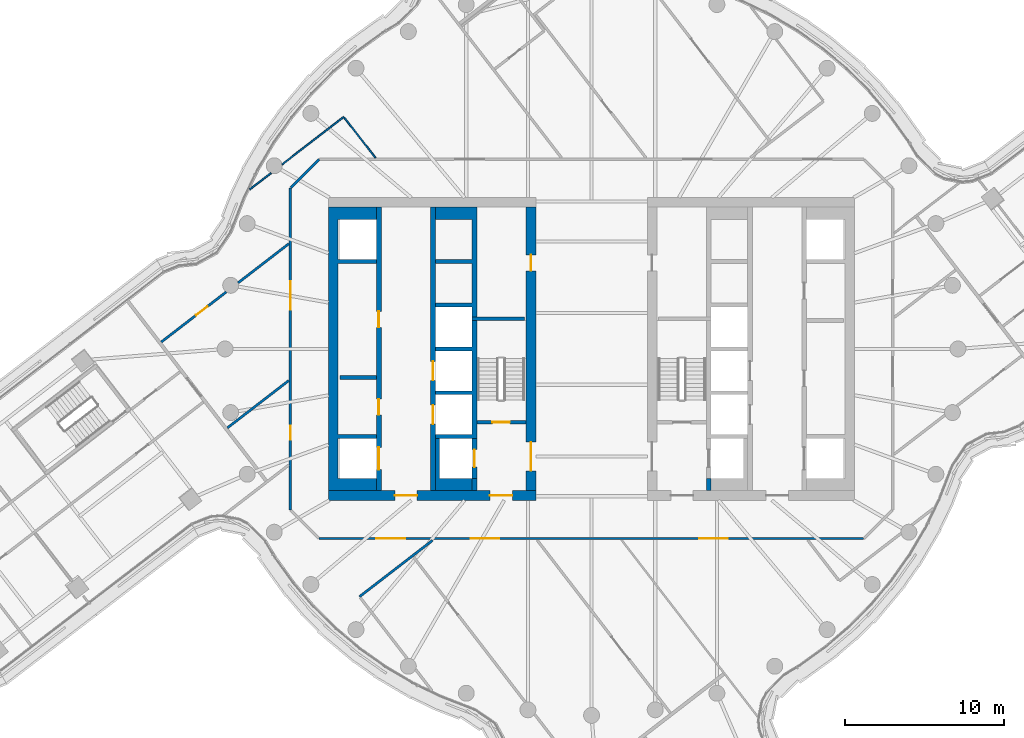
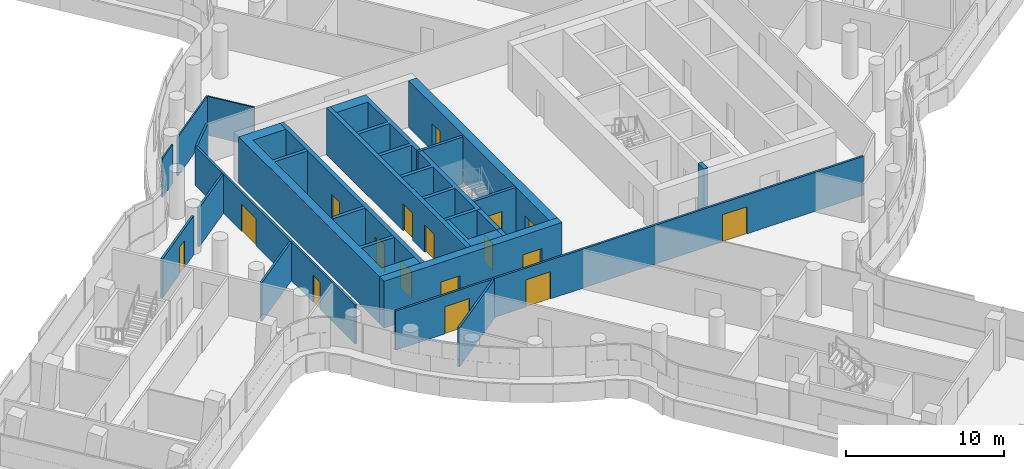
# One storey, part 21 of 33: 23 walls, 17 doors, 17 openings.
"""IFC4 building model written with IfcOpenShell, lengths in metres."""

from ifc_helpers import new_model, si_unit, direction, frame, frame_2d, origin, place, context, subcontext, project, spatial, polyline, rectangle, outline, extrude, material, layer, layer_set, type_object, element, fill, save


model = new_model("IFC4")

# Units and contexts
model_context = context("Model", 3, precision=1e-05, world=origin(), true_north=direction((0.0, 1.0)))
body_context = subcontext(model_context, "Body", "Model", "MODEL_VIEW")
ifc_project = project(units=[si_unit("LENGTHUNIT", "METRE"), si_unit("AREAUNIT", "SQUARE_METRE"), si_unit("VOLUMEUNIT", "CUBIC_METRE"), si_unit("PLANEANGLEUNIT", "RADIAN"), si_unit("MASSUNIT", "GRAM", prefix="KILO")], contexts=[model_context])

# Site, building, storey
site_placement = place(None, origin())
site = spatial("IfcSite", under=ifc_project, at=site_placement, CompositionType="ELEMENT")
building_placement = place(site_placement, origin())
building = spatial("IfcBuilding", under=site, at=building_placement, Name="Tamarind Cross Interchange Tower", CompositionType="ELEMENT")
storey_placement = place(building_placement, frame((0.0, 0.0, 170.5)))
storey = spatial("IfcBuildingStorey", under=building, at=storey_placement, Name="L42", CompositionType="ELEMENT", Elevation=170.5)

# Wall, openings, doors
ifc_material_1 = material(Name="Concrete C60", Category="concrete")
ifc_layer_1 = layer(ifc_material_1, 0.60009765625)
ifc_layer_set_1 = layer_set([ifc_layer_1], Name="Concrete C60")
wall_type_1 = type_object("IfcWallType", Name="Core wall 600 mm Concrete C60", PredefinedType="SHEAR", material=ifc_layer_set_1)
wall_1_placement = place(storey_placement, frame((-16.5, -9.199951171875, 0.0), z_axis=(0.0, 0.0, 1.0), x_axis=(1.0, 0.0, 0.0)))
wall_1 = element("IfcWall", 1, at=wall_1_placement, inside=storey, type_object=wall_type_1, Name="Core wall CWL-L42-W-S", PredefinedType="SHEAR", context=body_context, shape_type="SweptSolid", body=[
    extrude(rectangle(XDim=13.0, YDim=0.60009765625, at=frame_2d((6.5, 0.0))), origin(), (0.0, 0.0, 1.0), 3.610107421875),
])
opening_1_placement = place(wall_1_placement, frame((4.14990234375, 0.0, 0.0)))
opening_1 = element("IfcOpeningElement", 2, at=opening_1_placement, cuts=wall_1, Name="Opening DCW1", PredefinedType="OPENING", context=body_context, shape_type="SweptSolid", body=[
    extrude(rectangle(XDim=1.39990234375, YDim=2.10009765625, at=frame_2d((0.699951171875, 1.050048828125))), frame((0.0, 0.31005859375, 0.0), z_axis=(0.0, -1.0, 0.0), x_axis=(1.0, 0.0, 0.0)), (0.0, 0.0, 1.0), 0.6201171875),
])
opening_2_placement = place(wall_1_placement, frame((10.125, 0.0, 0.0)))
opening_2 = element("IfcOpeningElement", 3, at=opening_2_placement, cuts=wall_1, Name="Opening DCWF", PredefinedType="OPENING", context=body_context, shape_type="SweptSolid", body=[
    extrude(rectangle(XDim=1.39990234375, YDim=2.10009765625, at=frame_2d((0.699951171875, 1.050048828125))), frame((0.0, 0.31005859375, 0.0), z_axis=(0.0, -1.0, 0.0), x_axis=(1.0, 0.0, 0.0)), (0.0, 0.0, 1.0), 0.6201171875),
])
ifc_material_2 = material(Name="Steel, fire-resisting", Category="steel")
door_type_1 = type_object("IfcDoorType", Name="Core fire door 1400 x 2100 FD90", OperationType="SINGLE_SWING_LEFT", PredefinedType="DOOR", material=ifc_material_2)
door_1_placement = place(opening_1_placement, origin())
door_1 = element("IfcDoor", 4, at=door_1_placement, inside=storey, type_object=door_type_1, Name="L42 lift lobby door", OperationType="SINGLE_SWING_LEFT", OverallHeight=2.10009765625, OverallWidth=1.39990234375, PredefinedType="DOOR", context=body_context, shape_type="SweptSolid", body=[
    extrude(rectangle(XDim=1.39990234375, YDim=2.10009765625, at=frame_2d((0.699951171875, 1.050048828125))), frame((0.0, 0.02490234375, 0.0), z_axis=(0.0, -1.0, 0.0), x_axis=(1.0, 0.0, 0.0)), (0.0, 0.0, 1.0), 0.050048828125),
])
fill(opening_1, door_1)
door_2_placement = place(opening_2_placement, origin())
door_2 = element("IfcDoor", 5, at=door_2_placement, inside=storey, type_object=door_type_1, Name="L42 firefighting lobby end door", OperationType="SINGLE_SWING_LEFT", OverallHeight=2.10009765625, OverallWidth=1.39990234375, PredefinedType="DOOR", context=body_context, shape_type="SweptSolid", body=[
    extrude(rectangle(XDim=1.39990234375, YDim=2.10009765625, at=frame_2d((0.699951171875, 1.050048828125))), frame((0.0, 0.02490234375, 0.0), z_axis=(0.0, -1.0, 0.0), x_axis=(1.0, 0.0, 0.0)), (0.0, 0.0, 1.0), 0.050048828125),
])
fill(opening_2, door_2)

# Wall
wall_2_placement = place(storey_placement, origin())
element("IfcWall", 6, at=wall_2_placement, inside=storey, type_object=wall_type_1, Name="Core wall CWL-L42-W-A", PredefinedType="SHEAR", context=body_context, shape_type="SweptSolid", body=[
    extrude(outline(polyline([(-13.5, -8.125), (-15.89990234375, -8.125), (-15.89990234375, -5.625), (-13.5, -5.625), (-13.5, -5.375), (-15.89990234375, -5.375), (-15.89990234375, 5.375), (-13.5, 5.375), (-13.5, 5.625), (-15.89990234375, 5.625), (-15.89990234375, 8.125), (-13.5, 8.125), (-13.5, 8.89990234375), (-15.89990234375, 8.89990234375), (-16.5, 8.89990234375), (-16.5, -8.89990234375), (-15.89990234375, -8.89990234375), (-13.5, -8.89990234375), (-13.5, -8.125)])), origin(), (0.0, 0.0, 1.0), 3.610107421875),
])

# Wall, openings, doors
wall_3_placement = place(storey_placement, frame((-3.800048828125, -8.89990234375, 0.0), z_axis=(0.0, 0.0, 1.0), x_axis=(0.0, 1.0, 0.0)))
wall_3 = element("IfcWall", 7, at=wall_3_placement, inside=storey, type_object=wall_type_1, Name="Core wall CWL-L42-W-IN", PredefinedType="SHEAR", context=body_context, shape_type="SweptSolid", body=[
    extrude(rectangle(XDim=17.7998046875, YDim=0.60009765625, at=frame_2d((8.89990234375, 0.0))), origin(), (0.0, 0.0, 1.0), 3.610107421875),
])
opening_3_placement = place(wall_3_placement, frame((1.25, 0.0, 0.0)))
opening_3 = element("IfcOpeningElement", 8, at=opening_3_placement, cuts=wall_3, Name="Opening DCW4", PredefinedType="OPENING", context=body_context, shape_type="SweptSolid", body=[
    extrude(rectangle(XDim=1.800048828125, YDim=2.10009765625, at=frame_2d((0.89990234375, 1.050048828125))), frame((0.0, 0.31005859375, 0.0), z_axis=(0.0, -1.0, 0.0), x_axis=(1.0, 0.0, 0.0)), (0.0, 0.0, 1.0), 0.6201171875),
])
opening_4_placement = place(wall_3_placement, frame((13.800048828125, 0.0, 0.0)))
opening_4 = element("IfcOpeningElement", 9, at=opening_4_placement, cuts=wall_3, Name="Opening DCW5", PredefinedType="OPENING", context=body_context, shape_type="SweptSolid", body=[
    extrude(rectangle(XDim=1.0, YDim=2.10009765625, at=frame_2d((0.5, 1.050048828125))), frame((0.0, 0.31005859375, 0.0), z_axis=(0.0, -1.0, 0.0), x_axis=(1.0, 0.0, 0.0)), (0.0, 0.0, 1.0), 0.6201171875),
])
door_type_2 = type_object("IfcDoorType", Name="Core fire door 1000 x 2100 FD90", OperationType="SINGLE_SWING_LEFT", PredefinedType="DOOR", material=ifc_material_2)
door_3_placement = place(opening_4_placement, origin())
door_3 = element("IfcDoor", 10, at=door_3_placement, inside=storey, type_object=door_type_2, Name="L42 riser room door", OperationType="SINGLE_SWING_LEFT", OverallHeight=2.10009765625, OverallWidth=1.0, PredefinedType="DOOR", context=body_context, shape_type="SweptSolid", body=[
    extrude(rectangle(XDim=1.0, YDim=2.10009765625, at=frame_2d((0.5, 1.050048828125))), frame((0.0, 0.02490234375, 0.0), z_axis=(0.0, -1.0, 0.0), x_axis=(1.0, 0.0, 0.0)), (0.0, 0.0, 1.0), 0.050048828125),
])
fill(opening_4, door_3)
door_type_3 = type_object("IfcDoorType", Name="Core fire door 1800 x 2100 FD90", OperationType="SINGLE_SWING_LEFT", PredefinedType="DOOR", material=ifc_material_2)
door_4_placement = place(opening_3_placement, origin())
door_4 = element("IfcDoor", 11, at=door_4_placement, inside=storey, type_object=door_type_3, Name="L42 firefighting lobby door", OperationType="SINGLE_SWING_LEFT", OverallHeight=2.10009765625, OverallWidth=1.800048828125, PredefinedType="DOOR", context=body_context, shape_type="SweptSolid", body=[
    extrude(rectangle(XDim=1.800048828125, YDim=2.10009765625, at=frame_2d((0.89990234375, 1.050048828125))), frame((0.0, 0.02490234375, 0.0), z_axis=(0.0, -1.0, 0.0), x_axis=(1.0, 0.0, 0.0)), (0.0, 0.0, 1.0), 0.050048828125),
])
fill(opening_3, door_4)

# Walls
ifc_layer_2 = layer(ifc_material_1, 0.199951171875)
ifc_layer_set_2 = layer_set([ifc_layer_2], Name="Concrete C60")
wall_type_2 = type_object("IfcWallType", Name="Core web wall 200 mm Concrete C60", PredefinedType="SHEAR", material=ifc_layer_set_2)
wall_4_placement = place(storey_placement, frame((-7.5, 1.89990234375, 0.0), z_axis=(0.0, 0.0, 1.0), x_axis=(1.0, 0.0, 0.0)))
element("IfcWall", 12, at=wall_4_placement, inside=storey, type_object=wall_type_2, Name="Core wall CWL-L42-W-BD", PredefinedType="SHEAR", context=body_context, shape_type="SweptSolid", body=[
    extrude(rectangle(XDim=3.300048828125, YDim=0.199951171875, at=frame_2d((1.64990234375, 0.0))), origin(), (0.0, 0.0, 1.0), 3.610107421875),
])
ifc_layer_3 = layer(ifc_material_1, 0.300048828125)
ifc_layer_set_3 = layer_set([ifc_layer_3], Name="Concrete C60")
wall_type_3 = type_object("IfcWallType", Name="Core web wall 300 mm Concrete C60", PredefinedType="SHEAR", material=ifc_layer_set_3)
wall_5_placement = place(storey_placement, origin())
element("IfcWall", 13, at=wall_5_placement, inside=storey, type_object=wall_type_3, Name="Core wall CWL-L42-W-BN", PredefinedType="SHEAR", context=body_context, shape_type="SweptSolid", body=[
    extrude(outline(polyline([(-9.800048828125, -5.375), (-9.800048828125, -5.625), (-7.5, -5.625), (-7.199951171875, -5.625), (-7.199951171875, 8.89990234375), (-7.5, 8.89990234375), (-9.800048828125, 8.89990234375), (-9.800048828125, 8.125), (-7.5, 8.125), (-7.5, 5.625), (-9.800048828125, 5.625), (-9.800048828125, 5.375), (-7.5, 5.375), (-7.5, 2.875), (-9.800048828125, 2.875), (-9.800048828125, 2.625), (-7.5, 2.625), (-7.5, 0.125), (-9.800048828125, 0.125), (-9.800048828125, -0.125), (-7.5, -0.125), (-7.5, -2.625), (-9.800048828125, -2.625), (-9.800048828125, -2.875), (-7.5, -2.875), (-7.5, -5.375), (-9.800048828125, -5.375)])), origin(), (0.0, 0.0, 1.0), 3.610107421875),
])
wall_6_placement = place(storey_placement, origin())
element("IfcWall", 14, at=wall_6_placement, inside=storey, type_object=wall_type_3, Name="Core wall CWL-L42-W-BS", PredefinedType="SHEAR", context=body_context, shape_type="SweptSolid", body=[
    extrude(outline(polyline([(-7.5, -8.125), (-9.550048828125, -8.125), (-9.550048828125, -5.625), (-9.800048828125, -5.625), (-9.800048828125, -8.125), (-9.800048828125, -8.89990234375), (-7.5, -8.89990234375), (-7.5, -8.125)])), origin(), (0.0, 0.0, 1.0), 3.610107421875),
])
wall_7_placement = place(storey_placement, frame((-7.35009765625, -8.89990234375, 0.0), z_axis=(0.0, 0.0, 1.0), x_axis=(0.0, 1.0, 0.0)))
element("IfcWall", 15, at=wall_7_placement, inside=storey, type_object=wall_type_3, Name="Core wall CWL-L42-W-BW", PredefinedType="SHEAR", context=body_context, shape_type="SweptSolid", body=[
    extrude(rectangle(XDim=0.77490234375, YDim=0.300048828125, at=frame_2d((0.387451171875, 0.0))), origin(), (0.0, 0.0, 1.0), 3.610107421875),
])

# Wall, openings, doors
wall_8_placement = place(storey_placement, frame((-13.35009765625, -8.89990234375, 0.0), z_axis=(0.0, 0.0, 1.0), x_axis=(0.0, 1.0, 0.0)))
wall_8 = element("IfcWall", 16, at=wall_8_placement, inside=storey, type_object=wall_type_3, Name="Core wall CWL-L42-W-LA", PredefinedType="SHEAR", context=body_context, shape_type="SweptSolid", body=[
    extrude(rectangle(XDim=17.7998046875, YDim=0.300048828125, at=frame_2d((8.89990234375, 0.0))), origin(), (0.0, 0.0, 1.0), 3.610107421875),
])
opening_5_placement = place(wall_8_placement, frame((1.324951171875, 0.0, 0.0)))
opening_5 = element("IfcOpeningElement", 17, at=opening_5_placement, cuts=wall_8, Name="Opening LD1L42", PredefinedType="OPENING", context=body_context, shape_type="SweptSolid", body=[
    extrude(rectangle(XDim=1.39990234375, YDim=2.10009765625, at=frame_2d((0.699951171875, 1.050048828125))), frame((0.0, 0.159912109375, 0.0), z_axis=(0.0, -1.0, 0.0), x_axis=(1.0, 0.0, 0.0)), (0.0, 0.0, 1.0), 0.320068359375),
])
opening_6_placement = place(wall_8_placement, frame((4.75390625, 0.0, 0.0)))
opening_6 = element("IfcOpeningElement", 18, at=opening_6_placement, cuts=wall_8, Name="Opening DCW9", PredefinedType="OPENING", context=body_context, shape_type="SweptSolid", body=[
    extrude(rectangle(XDim=1.0, YDim=2.10009765625, at=frame_2d((0.5, 1.050048828125))), frame((0.0, 0.159912109375, 0.0), z_axis=(0.0, -1.0, 0.0), x_axis=(1.0, 0.0, 0.0)), (0.0, 0.0, 1.0), 0.320068359375),
])
opening_7_placement = place(wall_8_placement, frame((10.25390625, 0.0, 0.0)))
opening_7 = element("IfcOpeningElement", 19, at=opening_7_placement, cuts=wall_8, Name="Opening DCW10", PredefinedType="OPENING", context=body_context, shape_type="SweptSolid", body=[
    extrude(rectangle(XDim=1.0, YDim=2.10009765625, at=frame_2d((0.5, 1.050048828125))), frame((0.0, 0.159912109375, 0.0), z_axis=(0.0, -1.0, 0.0), x_axis=(1.0, 0.0, 0.0)), (0.0, 0.0, 1.0), 0.320068359375),
])
door_5_placement = place(opening_6_placement, origin())
door_5 = element("IfcDoor", 20, at=door_5_placement, inside=storey, type_object=door_type_2, Name="L42 Cleaner's store door", OperationType="SINGLE_SWING_LEFT", OverallHeight=2.10009765625, OverallWidth=1.0, PredefinedType="DOOR", context=body_context, shape_type="SweptSolid", body=[
    extrude(rectangle(XDim=1.0, YDim=2.10009765625, at=frame_2d((0.5, 1.050048828125))), frame((0.0, 0.02490234375, 0.0), z_axis=(0.0, -1.0, 0.0), x_axis=(1.0, 0.0, 0.0)), (0.0, 0.0, 1.0), 0.050048828125),
])
fill(opening_6, door_5)
door_6_placement = place(opening_7_placement, origin())
door_6 = element("IfcDoor", 21, at=door_6_placement, inside=storey, type_object=door_type_2, Name="L42 Print room door", OperationType="SINGLE_SWING_LEFT", OverallHeight=2.10009765625, OverallWidth=1.0, PredefinedType="DOOR", context=body_context, shape_type="SweptSolid", body=[
    extrude(rectangle(XDim=1.0, YDim=2.10009765625, at=frame_2d((0.5, 1.050048828125))), frame((0.0, 0.02490234375, 0.0), z_axis=(0.0, -1.0, 0.0), x_axis=(1.0, 0.0, 0.0)), (0.0, 0.0, 1.0), 0.050048828125),
])
fill(opening_7, door_6)
ifc_material_3 = material(Name="Stainless steel panel", Category="steel")
door_type_4 = type_object("IfcDoorType", Name="Lift landing door 1400 x 2100 E 120", OperationType="SLIDING_TO_LEFT", PredefinedType="DOOR", material=ifc_material_3)
door_7_placement = place(opening_5_placement, origin())
door_7 = element("IfcDoor", 22, at=door_7_placement, inside=storey, type_object=door_type_4, Name="L42 landing door LF1", OperationType="SLIDING_TO_LEFT", OverallHeight=2.10009765625, OverallWidth=1.39990234375, PredefinedType="DOOR", context=body_context, shape_type="SweptSolid", body=[
    extrude(rectangle(XDim=1.39990234375, YDim=2.10009765625, at=frame_2d((0.699951171875, 1.050048828125))), frame((0.0, 0.02490234375, 0.0), z_axis=(0.0, -1.0, 0.0), x_axis=(1.0, 0.0, 0.0)), (0.0, 0.0, 1.0), 0.050048828125),
])
fill(opening_5, door_7)

wall_9_placement = place(storey_placement, frame((-9.949951171875, -8.89990234375, 0.0), z_axis=(0.0, 0.0, 1.0), x_axis=(0.0, 1.0, 0.0)))
wall_9 = element("IfcWall", 23, at=wall_9_placement, inside=storey, type_object=wall_type_3, Name="Core wall CWL-L42-W-LB", PredefinedType="SHEAR", context=body_context, shape_type="SweptSolid", body=[
    extrude(rectangle(XDim=17.7998046875, YDim=0.300048828125, at=frame_2d((8.89990234375, 0.0))), origin(), (0.0, 0.0, 1.0), 3.610107421875),
])
opening_8_placement = place(wall_9_placement, frame((4.175048828125, 0.0, 0.0)))
opening_8 = element("IfcOpeningElement", 24, at=opening_8_placement, cuts=wall_9, Name="Opening LD8L42", PredefinedType="OPENING", context=body_context, shape_type="SweptSolid", body=[
    extrude(rectangle(XDim=1.199951171875, YDim=2.10009765625, at=frame_2d((0.60009765625, 1.050048828125))), frame((0.0, 0.159912109375, 0.0), z_axis=(0.0, -1.0, 0.0), x_axis=(1.0, 0.0, 0.0)), (0.0, 0.0, 1.0), 0.320068359375),
])
opening_9_placement = place(wall_9_placement, frame((6.925048828125, 0.0, 0.0)))
opening_9 = element("IfcOpeningElement", 25, at=opening_9_placement, cuts=wall_9, Name="Opening LD9L42", PredefinedType="OPENING", context=body_context, shape_type="SweptSolid", body=[
    extrude(rectangle(XDim=1.199951171875, YDim=2.10009765625, at=frame_2d((0.60009765625, 1.050048828125))), frame((0.0, 0.159912109375, 0.0), z_axis=(0.0, -1.0, 0.0), x_axis=(1.0, 0.0, 0.0)), (0.0, 0.0, 1.0), 0.320068359375),
])
door_type_5 = type_object("IfcDoorType", Name="Lift landing door 1200 x 2100 E 120", OperationType="SLIDING_TO_LEFT", PredefinedType="DOOR", material=ifc_material_3)
door_8_placement = place(opening_8_placement, origin())
door_8 = element("IfcDoor", 26, at=door_8_placement, inside=storey, type_object=door_type_5, Name="L42 landing door LF8", OperationType="SLIDING_TO_LEFT", OverallHeight=2.10009765625, OverallWidth=1.199951171875, PredefinedType="DOOR", context=body_context, shape_type="SweptSolid", body=[
    extrude(rectangle(XDim=1.199951171875, YDim=2.10009765625, at=frame_2d((0.60009765625, 1.050048828125))), frame((0.0, 0.02490234375, 0.0), z_axis=(0.0, -1.0, 0.0), x_axis=(1.0, 0.0, 0.0)), (0.0, 0.0, 1.0), 0.050048828125),
])
fill(opening_8, door_8)
door_9_placement = place(opening_9_placement, origin())
door_9 = element("IfcDoor", 27, at=door_9_placement, inside=storey, type_object=door_type_5, Name="L42 landing door LF9", OperationType="SLIDING_TO_LEFT", OverallHeight=2.10009765625, OverallWidth=1.199951171875, PredefinedType="DOOR", context=body_context, shape_type="SweptSolid", body=[
    extrude(rectangle(XDim=1.199951171875, YDim=2.10009765625, at=frame_2d((0.60009765625, 1.050048828125))), frame((0.0, 0.02490234375, 0.0), z_axis=(0.0, -1.0, 0.0), x_axis=(1.0, 0.0, 0.0)), (0.0, 0.0, 1.0), 0.050048828125),
])
fill(opening_9, door_9)

# Wall, opening, door
wall_10_placement = place(storey_placement, frame((-7.35009765625, -8.125, 0.0), z_axis=(0.0, 0.0, 1.0), x_axis=(0.0, 1.0, 0.0)))
wall_10 = element("IfcWall", 28, at=wall_10_placement, inside=storey, type_object=wall_type_3, Name="Core wall CWL-L42-W-FF", PredefinedType="SHEAR", context=body_context, shape_type="SweptSolid", body=[
    extrude(rectangle(XDim=2.5, YDim=0.300048828125, at=frame_2d((1.25, 0.0))), origin(), (0.0, 0.0, 1.0), 3.610107421875),
])
opening_10_placement = place(wall_10_placement, frame((0.699951171875, 0.0, 0.0)))
opening_10 = element("IfcOpeningElement", 29, at=opening_10_placement, cuts=wall_10, Name="Opening LD7L42", PredefinedType="OPENING", context=body_context, shape_type="SweptSolid", body=[
    extrude(rectangle(XDim=1.10009765625, YDim=2.10009765625, at=frame_2d((0.550048828125, 1.050048828125))), frame((0.0, 0.159912109375, 0.0), z_axis=(0.0, -1.0, 0.0), x_axis=(1.0, 0.0, 0.0)), (0.0, 0.0, 1.0), 0.320068359375),
])
door_type_6 = type_object("IfcDoorType", Name="Lift landing door 1100 x 2100 E 120", OperationType="SLIDING_TO_LEFT", PredefinedType="DOOR", material=ifc_material_3)
door_10_placement = place(opening_10_placement, origin())
door_10 = element("IfcDoor", 30, at=door_10_placement, inside=storey, type_object=door_type_6, Name="L42 landing door LF7", OperationType="SLIDING_TO_LEFT", OverallHeight=2.10009765625, OverallWidth=1.10009765625, PredefinedType="DOOR", context=body_context, shape_type="SweptSolid", body=[
    extrude(rectangle(XDim=1.10009765625, YDim=2.10009765625, at=frame_2d((0.550048828125, 1.050048828125))), frame((0.0, 0.02490234375, 0.0), z_axis=(0.0, -1.0, 0.0), x_axis=(1.0, 0.0, 0.0)), (0.0, 0.0, 1.0), 0.050048828125),
])
fill(opening_10, door_10)

# Walls
wall_11_placement = place(storey_placement, frame((7.35009765625, -8.89990234375, 0.0), z_axis=(0.0, 0.0, 1.0), x_axis=(0.0, 1.0, 0.0)))
element("IfcWall", 31, at=wall_11_placement, inside=storey, type_object=wall_type_3, Name="Core wall CWL-L42-E-BW", PredefinedType="SHEAR", context=body_context, shape_type="SweptSolid", body=[
    extrude(rectangle(XDim=0.77490234375, YDim=0.300048828125, at=frame_2d((0.387451171875, 0.0))), origin(), (0.0, 0.0, 1.0), 3.610107421875),
])
ifc_material_4 = material(Name="Gypsum board partition on steel studs", Category="steel")
ifc_layer_4 = layer(ifc_material_4, 0.10009765625)
ifc_layer_set_4 = layer_set([ifc_layer_4], Name="Gypsum board partition on steel studs")
wall_type_4 = type_object("IfcWallType", Name="Partition 100 mm EI 90", PredefinedType="PARTITIONING", material=ifc_layer_set_4)
wall_12_placement = place(storey_placement, frame((-15.517578125, 14.525390625, 0.0), z_axis=(0.0, 0.0, 1.0), x_axis=(0.610299736782, -0.792170582188, 0.0)))
element("IfcWall", 32, at=wall_12_placement, inside=storey, type_object=wall_type_4, Name="Partition L42-007", PredefinedType="PARTITIONING", context=body_context, shape_type="SweptSolid", body=[
    extrude(rectangle(XDim=3.204345703125, YDim=0.10009765625, at=frame_2d((1.60205078125, 0.0))), origin(), (0.0, 0.0, 1.0), 3.010009765625),
])
wall_13_placement = place(storey_placement, frame((-21.455810546875, 10.01318359375, 0.0), z_axis=(0.0, 0.0, 1.0), x_axis=(0.792123801297, 0.610360453682, 0.0)))
element("IfcWall", 33, at=wall_13_placement, inside=storey, type_object=wall_type_4, Name="Partition L42-047", PredefinedType="PARTITIONING", context=body_context, shape_type="SweptSolid", body=[
    extrude(rectangle(XDim=1.6884765625, YDim=0.10009765625, at=frame_2d((0.84423828125, 0.0))), origin(), (0.0, 0.0, 1.0), 3.010009765625),
])
wall_14_placement = place(storey_placement, frame((-19.4287109375, 11.574951171875, 0.0), z_axis=(0.0, 0.0, 1.0), x_axis=(0.792140202804, 0.610339167269, 0.0)))
element("IfcWall", 34, at=wall_14_placement, inside=storey, type_object=wall_type_4, Name="Partition L42-048", PredefinedType="PARTITIONING", context=body_context, shape_type="SweptSolid", body=[
    extrude(rectangle(XDim=4.89892578125, YDim=0.10009765625, at=frame_2d((2.449462890625, 0.0))), origin(), (0.0, 0.0, 1.0), 3.010009765625),
])

# Wall, openings, doors
ifc_layer_5 = layer(ifc_material_4, 0.14990234375)
ifc_layer_set_5 = layer_set([ifc_layer_5], Name="Gypsum board partition on steel studs")
wall_type_5 = type_object("IfcWallType", Name="Partition 150 mm EI 120", PredefinedType="PARTITIONING", material=ifc_layer_set_5)
wall_15_placement = place(storey_placement, frame((-17.10009765625, -11.89990234375, 0.0), z_axis=(0.0, 0.0, 1.0), x_axis=(1.0, 0.0, 0.0)))
wall_15 = element("IfcWall", 35, at=wall_15_placement, inside=storey, type_object=wall_type_5, Name="Partition L42-038", PredefinedType="PARTITIONING", context=body_context, shape_type="SweptSolid", body=[
    extrude(rectangle(XDim=34.1650390625, YDim=0.14990234375, at=frame_2d((17.08251953125, 0.0))), origin(), (0.0, 0.0, 1.0), 3.010009765625),
])
opening_11_placement = place(wall_15_placement, frame((9.52001953125, 0.0, 0.0)))
opening_11 = element("IfcOpeningElement", 36, at=opening_11_placement, cuts=wall_15, Name="Opening D18", PredefinedType="OPENING", context=body_context, shape_type="SweptSolid", body=[
    extrude(rectangle(XDim=1.800048828125, YDim=2.10009765625, at=frame_2d((0.89990234375, 1.050048828125))), frame((0.0, 0.0849609375, 0.0), z_axis=(0.0, -1.0, 0.0), x_axis=(1.0, 0.0, 0.0)), (0.0, 0.0, 1.0), 0.169921875),
])
opening_12_placement = place(wall_15_placement, frame((3.60009765625, 0.0, 0.0)))
opening_12 = element("IfcOpeningElement", 37, at=opening_12_placement, cuts=wall_15, Name="Opening D19", PredefinedType="OPENING", context=body_context, shape_type="SweptSolid", body=[
    extrude(rectangle(XDim=1.800048828125, YDim=2.10009765625, at=frame_2d((0.89990234375, 1.050048828125))), frame((0.0, 0.0849609375, 0.0), z_axis=(0.0, -1.0, 0.0), x_axis=(1.0, 0.0, 0.0)), (0.0, 0.0, 1.0), 0.169921875),
])
opening_13_placement = place(wall_15_placement, frame((23.862060546875, 0.0, 0.0)))
opening_13 = element("IfcOpeningElement", 38, at=opening_13_placement, cuts=wall_15, Name="Opening D20", PredefinedType="OPENING", context=body_context, shape_type="SweptSolid", body=[
    extrude(rectangle(XDim=1.800048828125, YDim=2.10009765625, at=frame_2d((0.89990234375, 1.050048828125))), frame((0.0, 0.0849609375, 0.0), z_axis=(0.0, -1.0, 0.0), x_axis=(1.0, 0.0, 0.0)), (0.0, 0.0, 1.0), 0.169921875),
])
ifc_material_5 = material(Name="Fire-resisting door set")
door_type_7 = type_object("IfcDoorType", Name="Interior door 1800 x 2100 FD60S", OperationType="DOUBLE_DOOR_SINGLE_SWING", PredefinedType="DOOR", material=ifc_material_5)
door_11_placement = place(opening_11_placement, origin())
door_11 = element("IfcDoor", 39, at=door_11_placement, inside=storey, type_object=door_type_7, Name="Door D18", OperationType="DOUBLE_DOOR_SINGLE_SWING", OverallHeight=2.10009765625, OverallWidth=1.800048828125, PredefinedType="DOOR", context=body_context, shape_type="SweptSolid", body=[
    extrude(rectangle(XDim=1.800048828125, YDim=2.10009765625, at=frame_2d((0.89990234375, 1.050048828125))), frame((0.0, 0.02490234375, 0.0), z_axis=(0.0, -1.0, 0.0), x_axis=(1.0, 0.0, 0.0)), (0.0, 0.0, 1.0), 0.050048828125),
])
fill(opening_11, door_11)
door_12_placement = place(opening_12_placement, frame((1.800048828125, 0.0, 0.0), z_axis=(0.0, 0.0, 1.0), x_axis=(-1.0, 0.0, 0.0)))
door_12 = element("IfcDoor", 40, at=door_12_placement, inside=storey, type_object=door_type_7, Name="Door D19", OperationType="DOUBLE_DOOR_SINGLE_SWING", OverallHeight=2.10009765625, OverallWidth=1.800048828125, PredefinedType="DOOR", context=body_context, shape_type="SweptSolid", body=[
    extrude(rectangle(XDim=1.800048828125, YDim=2.10009765625, at=frame_2d((0.89990234375, 1.050048828125))), frame((0.0, 0.02490234375, 0.0), z_axis=(0.0, -1.0, 0.0), x_axis=(1.0, 0.0, 0.0)), (0.0, 0.0, 1.0), 0.050048828125),
])
fill(opening_12, door_12)
door_13_placement = place(opening_13_placement, frame((1.800048828125, 0.0, 0.0), z_axis=(0.0, 0.0, 1.0), x_axis=(-1.0, 0.0, 0.0)))
door_13 = element("IfcDoor", 41, at=door_13_placement, inside=storey, type_object=door_type_7, Name="Door D20", OperationType="DOUBLE_DOOR_SINGLE_SWING", OverallHeight=2.10009765625, OverallWidth=1.800048828125, PredefinedType="DOOR", context=body_context, shape_type="SweptSolid", body=[
    extrude(rectangle(XDim=1.800048828125, YDim=2.10009765625, at=frame_2d((0.89990234375, 1.050048828125))), frame((0.0, 0.02490234375, 0.0), z_axis=(0.0, -1.0, 0.0), x_axis=(1.0, 0.0, 0.0)), (0.0, 0.0, 1.0), 0.050048828125),
])
fill(opening_13, door_13)

# Wall, opening, door
wall_16_placement = place(storey_placement, frame((-27.005859375, 0.43505859375, 0.0), z_axis=(0.0, 0.0, 1.0), x_axis=(0.792115799785, 0.610370837877, 0.0)))
wall_16 = element("IfcWall", 42, at=wall_16_placement, inside=storey, type_object=wall_type_5, Name="Partition L42-043", PredefinedType="PARTITIONING", context=body_context, shape_type="SweptSolid", body=[
    extrude(rectangle(XDim=5.146240234375, YDim=0.14990234375, at=frame_2d((2.5732421875, 0.0))), origin(), (0.0, 0.0, 1.0), 3.010009765625),
])
opening_14_placement = place(wall_16_placement, frame((2.75, 0.0, 0.0)))
opening_14 = element("IfcOpeningElement", 43, at=opening_14_placement, cuts=wall_16, Name="Opening D28", PredefinedType="OPENING", context=body_context, shape_type="SweptSolid", body=[
    extrude(rectangle(XDim=0.89990234375, YDim=2.10009765625, at=frame_2d((0.449951171875, 1.050048828125))), frame((0.0, 0.0849609375, 0.0), z_axis=(0.0, -1.0, 0.0), x_axis=(1.0, 0.0, 0.0)), (0.0, 0.0, 1.0), 0.169921875),
])
door_type_8 = type_object("IfcDoorType", Name="Interior door 900 x 2100 FD60S", OperationType="SINGLE_SWING_LEFT", PredefinedType="DOOR", material=ifc_material_5)
door_14_placement = place(opening_14_placement, origin())
door_14 = element("IfcDoor", 44, at=door_14_placement, inside=storey, type_object=door_type_8, Name="Door D28", OperationType="SINGLE_SWING_LEFT", OverallHeight=2.10009765625, OverallWidth=0.89990234375, PredefinedType="DOOR", context=body_context, shape_type="SweptSolid", body=[
    extrude(rectangle(XDim=0.89990234375, YDim=2.10009765625, at=frame_2d((0.449951171875, 1.050048828125))), frame((0.0, 0.02490234375, 0.0), z_axis=(0.0, -1.0, 0.0), x_axis=(1.0, 0.0, 0.0)), (0.0, 0.0, 1.0), 0.050048828125),
])
fill(opening_14, door_14)

# Walls
wall_17_placement = place(storey_placement, frame((-22.182861328125, 4.1513671875, 0.0), z_axis=(0.0, 0.0, 1.0), x_axis=(0.792101467192, 0.610389437713, 0.0)))
element("IfcWall", 45, at=wall_17_placement, inside=storey, type_object=wall_type_5, Name="Partition L42-044", PredefinedType="PARTITIONING", context=body_context, shape_type="SweptSolid", body=[
    extrude(rectangle(XDim=4.0146484375, YDim=0.14990234375, at=frame_2d((2.00732421875, 0.0))), origin(), (0.0, 0.0, 1.0), 3.010009765625),
])
wall_18_placement = place(storey_placement, frame((-22.855712890625, -4.951904296875, 0.0), z_axis=(0.0, 0.0, 1.0), x_axis=(0.792144175523, 0.610334011165, 0.0)))
element("IfcWall", 46, at=wall_18_placement, inside=storey, type_object=wall_type_5, Name="Partition L42-046", PredefinedType="PARTITIONING", context=body_context, shape_type="SweptSolid", body=[
    extrude(rectangle(XDim=4.86376953125, YDim=0.14990234375, at=frame_2d((2.431884765625, 0.0))), origin(), (0.0, 0.0, 1.0), 3.010009765625),
])
wall_19_placement = place(storey_placement, frame((-14.56494140625, -15.548095703125, 0.0), z_axis=(0.0, 0.0, 1.0), x_axis=(0.792167406266, 0.610303859114, 0.0)))
element("IfcWall", 47, at=wall_19_placement, inside=storey, type_object=wall_type_5, Name="Partition L42-051", PredefinedType="PARTITIONING", context=body_context, shape_type="SweptSolid", body=[
    extrude(rectangle(XDim=5.787353515625, YDim=0.14990234375, at=frame_2d((2.8935546875, 0.0))), origin(), (0.0, 0.0, 1.0), 3.010009765625),
])
wall_20_placement = place(storey_placement, frame((-18.87158203125, 10.12841796875, 0.0), z_axis=(0.0, 0.0, 1.0), x_axis=(0.707106781187, 0.707106781187, 0.0)))
element("IfcWall", 48, at=wall_20_placement, inside=storey, type_object=wall_type_5, Name="Partition L42-073", PredefinedType="PARTITIONING", context=body_context, shape_type="SweptSolid", body=[
    extrude(rectangle(XDim=2.50537109375, YDim=0.14990234375, at=frame_2d((1.252685546875, 0.0))), origin(), (0.0, 0.0, 1.0), 3.010009765625),
])

# Wall, openings, doors
wall_21_placement = place(storey_placement, frame((-18.89990234375, -10.10009765625, 0.0), z_axis=(0.0, 0.0, 1.0), x_axis=(0.0, 1.0, 0.0)))
wall_21 = element("IfcWall", 49, at=wall_21_placement, inside=storey, type_object=wall_type_5, Name="Partition L42-075", PredefinedType="PARTITIONING", context=body_context, shape_type="SweptSolid", body=[
    extrude(rectangle(XDim=20.2001953125, YDim=0.14990234375, at=frame_2d((10.10009765625, 0.0))), origin(), (0.0, 0.0, 1.0), 3.010009765625),
])
opening_15_placement = place(wall_21_placement, frame((12.5458984375, 0.0, 0.0)))
opening_15 = element("IfcOpeningElement", 50, at=opening_15_placement, cuts=wall_21, Name="Opening D39", PredefinedType="OPENING", context=body_context, shape_type="SweptSolid", body=[
    extrude(rectangle(XDim=1.800048828125, YDim=2.10009765625, at=frame_2d((0.89990234375, 1.050048828125))), frame((0.0, 0.0849609375, 0.0), z_axis=(0.0, -1.0, 0.0), x_axis=(1.0, 0.0, 0.0)), (0.0, 0.0, 1.0), 0.169921875),
])
opening_16_placement = place(wall_21_placement, frame((4.39404296875, 0.0, 0.0)))
opening_16 = element("IfcOpeningElement", 51, at=opening_16_placement, cuts=wall_21, Name="Opening D40", PredefinedType="OPENING", context=body_context, shape_type="SweptSolid", body=[
    extrude(rectangle(XDim=0.89990234375, YDim=2.10009765625, at=frame_2d((0.449951171875, 1.050048828125))), frame((0.0, 0.0849609375, 0.0), z_axis=(0.0, -1.0, 0.0), x_axis=(1.0, 0.0, 0.0)), (0.0, 0.0, 1.0), 0.169921875),
])
door_15_placement = place(opening_15_placement, frame((1.800048828125, 0.0, 0.0), z_axis=(0.0, 0.0, 1.0), x_axis=(-1.0, 0.0, 0.0)))
door_15 = element("IfcDoor", 52, at=door_15_placement, inside=storey, type_object=door_type_7, Name="Door D39", OperationType="DOUBLE_DOOR_SINGLE_SWING", OverallHeight=2.10009765625, OverallWidth=1.800048828125, PredefinedType="DOOR", context=body_context, shape_type="SweptSolid", body=[
    extrude(rectangle(XDim=1.800048828125, YDim=2.10009765625, at=frame_2d((0.89990234375, 1.050048828125))), frame((0.0, 0.02490234375, 0.0), z_axis=(0.0, -1.0, 0.0), x_axis=(1.0, 0.0, 0.0)), (0.0, 0.0, 1.0), 0.050048828125),
])
fill(opening_15, door_15)
door_16_placement = place(opening_16_placement, origin())
door_16 = element("IfcDoor", 53, at=door_16_placement, inside=storey, type_object=door_type_8, Name="Door D40", OperationType="SINGLE_SWING_RIGHT", OverallHeight=2.10009765625, OverallWidth=0.89990234375, PredefinedType="DOOR", context=body_context, shape_type="SweptSolid", body=[
    extrude(rectangle(XDim=0.89990234375, YDim=2.10009765625, at=frame_2d((0.449951171875, 1.050048828125))), frame((0.0, 0.02490234375, 0.0), z_axis=(0.0, -1.0, 0.0), x_axis=(1.0, 0.0, 0.0)), (0.0, 0.0, 1.0), 0.050048828125),
])
fill(opening_16, door_16)

# Wall
ifc_material_6 = material(Name="Concrete C40", Category="concrete")
ifc_layer_6 = layer(ifc_material_6, 0.25)
ifc_layer_set_6 = layer_set([ifc_layer_6], Name="Concrete C40")
wall_type_6 = type_object("IfcWallType", Name="Shaft and lobby wall 250 mm Concrete C40", PredefinedType="PARTITIONING", material=ifc_layer_set_6)
wall_22_placement = place(storey_placement, frame((-15.800048828125, -1.7919921875, 0.0), z_axis=(0.0, 0.0, 1.0), x_axis=(1.0, 0.0, 0.0)))
element("IfcWall", 54, at=wall_22_placement, inside=storey, type_object=wall_type_6, Name="Shaft wall CWL-L42-W-FPA1", PredefinedType="PARTITIONING", context=body_context, shape_type="SweptSolid", body=[
    extrude(rectangle(XDim=2.300048828125, YDim=0.25, at=frame_2d((1.14990234375, 0.0))), origin(), (0.0, 0.0, 1.0), 3.610107421875),
])

# Wall, opening, door
ifc_layer_7 = layer(ifc_material_6, 0.199951171875)
ifc_layer_set_7 = layer_set([ifc_layer_7], Name="Concrete C40")
wall_type_7 = type_object("IfcWallType", Name="Stair shaft wall 200 mm Concrete C40", PredefinedType="SHEAR", material=ifc_layer_set_7)
wall_23_placement = place(storey_placement, frame((-7.199951171875, -4.60009765625, 0.0), z_axis=(0.0, 0.0, 1.0), x_axis=(1.0, 0.0, 0.0)))
wall_23 = element("IfcWall", 55, at=wall_23_placement, inside=storey, type_object=wall_type_7, Name="Core wall CWL-L42-W-SD", PredefinedType="SHEAR", context=body_context, shape_type="SweptSolid", body=[
    extrude(rectangle(XDim=3.099853515625, YDim=0.199951171875, at=frame_2d((1.5498046875, 0.0))), origin(), (0.0, 0.0, 1.0), 3.610107421875),
])
opening_17_placement = place(wall_23_placement, frame((0.97509765625, 0.0, 0.0)))
opening_17 = element("IfcOpeningElement", 56, at=opening_17_placement, cuts=wall_23, Name="Opening DCW6", PredefinedType="OPENING", context=body_context, shape_type="SweptSolid", body=[
    extrude(rectangle(XDim=1.10009765625, YDim=2.10009765625, at=frame_2d((0.550048828125, 1.050048828125))), frame((0.0, 0.10986328125, 0.0), z_axis=(0.0, -1.0, 0.0), x_axis=(1.0, 0.0, 0.0)), (0.0, 0.0, 1.0), 0.219970703125),
])
door_type_9 = type_object("IfcDoorType", Name="Core fire door 1100 x 2100 FD90", OperationType="SINGLE_SWING_LEFT", PredefinedType="DOOR", material=ifc_material_2)
door_17_placement = place(opening_17_placement, origin())
door_17 = element("IfcDoor", 57, at=door_17_placement, inside=storey, type_object=door_type_9, Name="L42 stair door", OperationType="SINGLE_SWING_LEFT", OverallHeight=2.10009765625, OverallWidth=1.10009765625, PredefinedType="DOOR", context=body_context, shape_type="SweptSolid", body=[
    extrude(rectangle(XDim=1.10009765625, YDim=2.10009765625, at=frame_2d((0.550048828125, 1.050048828125))), frame((0.0, 0.02490234375, 0.0), z_axis=(0.0, -1.0, 0.0), x_axis=(1.0, 0.0, 0.0)), (0.0, 0.0, 1.0), 0.050048828125),
])
fill(opening_17, door_17)

save(model, "model.ifc")
